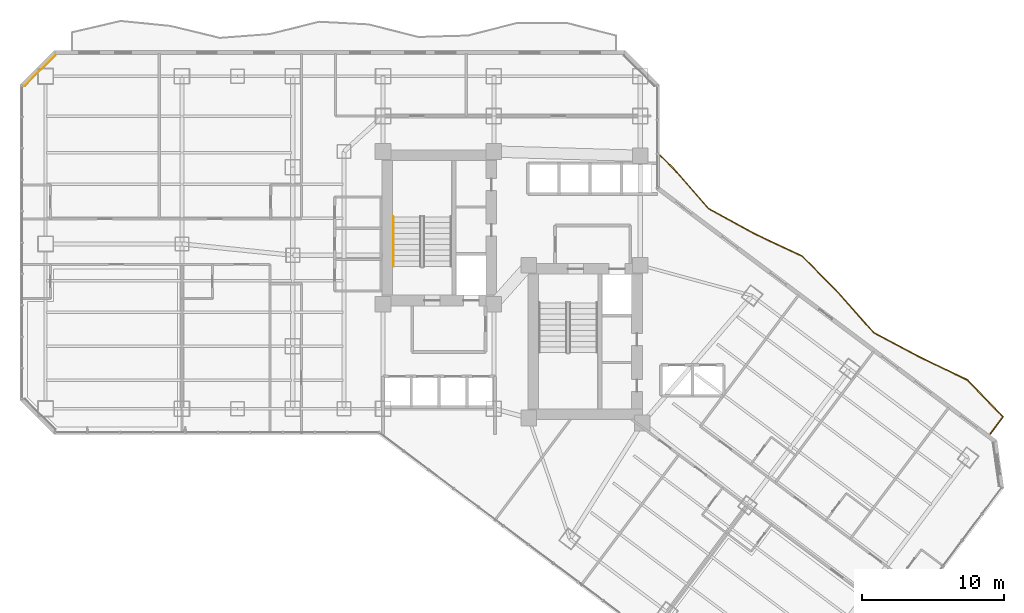
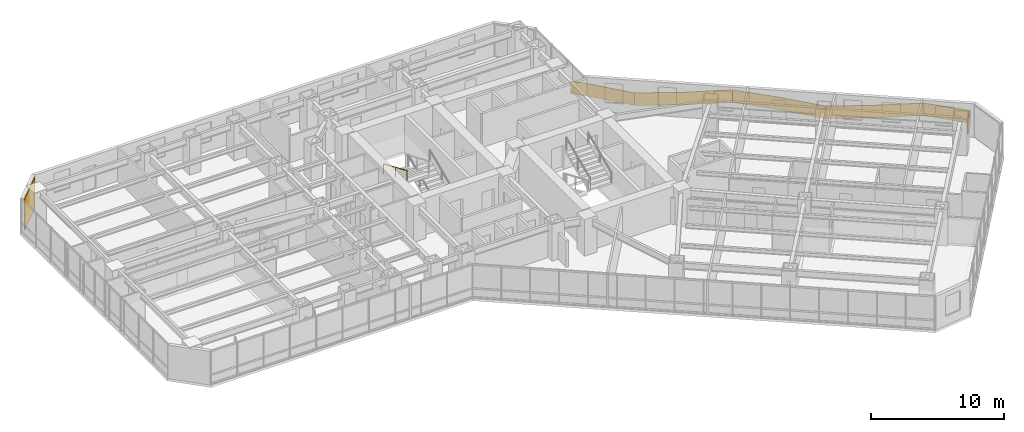
# One storey, part 37 of 39: 2 railings, 1 covering.
"""IFC4 building model written with IfcOpenShell, lengths in metres."""

import ifcopenshell
import ifcopenshell.guid

model = None  # the IFC model being written
_history = None  # IfcOwnerHistory: only IFC2X3 demands one
_inside = {}  # id of a spatial element -> (the spatial element, [elements in it])
_under = {}  # id of a project, library or spatial element -> (it, [spatial elements below it])
_declared = {}  # id of a project -> (the project, [libraries it declares])
_typed = {}  # id of a type object -> (the type object, [elements of that type])
_made_of = {}  # id of a material, layer set ... -> (it, [elements and type objects made of it])


def new_model(schema):
    """Start an empty IFC model of exactly this schema.

    Asked for "IFC4X3", IfcOpenShell would pick the latest addendum, in which some entities
    have other attributes; the version numbers below select the first issue.
    IFC2X3 requires an IfcOwnerHistory on every rooted entity: one is made here for all.
    """
    global model, _history
    if schema == "IFC4X3":
        model = ifcopenshell.file(schema_version=(4, 3, 0, 0))
    else:
        model = ifcopenshell.file(schema=schema)
    _inside.clear()
    _under.clear()
    _declared.clear()
    _typed.clear()
    _made_of.clear()
    _history = None
    if model.schema == "IFC2X3":
        org = make("IfcOrganization", Name="unknown")
        user = make(
            "IfcPersonAndOrganization",
            ThePerson=make("IfcPerson", FamilyName="unknown"),
            TheOrganization=org,
        )
        app = make(
            "IfcApplication",
            ApplicationDeveloper=org,
            Version="unknown",
            ApplicationFullName="unknown",
            ApplicationIdentifier="unknown",
        )
        _history = make(
            "IfcOwnerHistory",
            OwningUser=user,
            OwningApplication=app,
            ChangeAction="ADDED",
            CreationDate=0,
        )
    return model


def make(cls, **values):
    """One entity of the class cls with the attributes given. An attribute that is None is left unset."""
    return model.create_entity(
        cls, **{name: value for name, value in values.items() if value is not None}
    )


def rooted(cls, **values):
    """An entity with a GlobalId (a new one), such as an element, a storey or a relation."""
    return make(cls, GlobalId=ifcopenshell.guid.new(), OwnerHistory=_history, **values)


def si_unit(unit_type, name, prefix=None):
    """IfcSIUnit, for example si_unit("LENGTHUNIT", "METRE", prefix="MILLI")."""
    return make("IfcSIUnit", UnitType=unit_type, Prefix=prefix, Name=name)


def assignment(units):
    """IfcUnitAssignment: the units of a project."""
    return None if units is None else make("IfcUnitAssignment", Units=units)


def point(xyz):
    """IfcCartesianPoint."""
    return None if xyz is None else make("IfcCartesianPoint", Coordinates=xyz)


def direction(xyz):
    """IfcDirection."""
    return None if xyz is None else make("IfcDirection", DirectionRatios=xyz)


def frame(location, z_axis=None, x_axis=None):
    """IfcAxis2Placement3D, a coordinate frame: its origin and axes. An axis left out is left unset."""
    return make(
        "IfcAxis2Placement3D",
        Location=point(location),
        Axis=direction(z_axis),
        RefDirection=direction(x_axis),
    )


def frame_2d(location, x_axis=None):
    """IfcAxis2Placement2D, a coordinate frame in the plane: its origin and x axis."""
    return make(
        "IfcAxis2Placement2D", Location=point(location), RefDirection=direction(x_axis)
    )


def origin():
    """The frame at (0, 0, 0) with its axes left unset."""
    return frame((0.0, 0.0, 0.0))


def origin_2d():
    """The frame at (0, 0) in the plane with its x axis left unset."""
    return frame_2d((0.0, 0.0))


def place(relative_to, where):
    """IfcLocalPlacement: puts the frame where relative to a parent placement (None: the world)."""
    return make(
        "IfcLocalPlacement", PlacementRelTo=relative_to, RelativePlacement=where
    )


def context(
    kind, dimensions, precision=None, world=None, true_north=None, identifier=None
):
    """IfcGeometricRepresentationContext, for example the 3D "Model" context."""
    return make(
        "IfcGeometricRepresentationContext",
        ContextIdentifier=identifier,
        ContextType=kind,
        CoordinateSpaceDimension=dimensions,
        Precision=precision,
        WorldCoordinateSystem=world,
        TrueNorth=true_north,
    )


def subcontext(parent, identifier, kind, view, scale=None):
    """IfcGeometricRepresentationSubContext, for example "Body" below "Model"."""
    return make(
        "IfcGeometricRepresentationSubContext",
        ContextIdentifier=identifier,
        ContextType=kind,
        ParentContext=parent,
        TargetScale=scale,
        TargetView=view,
    )


def project(units=None, contexts=None):
    """IfcProject with its units and contexts."""
    return rooted(
        "IfcProject",
        Name="project",
        RepresentationContexts=contexts,
        UnitsInContext=assignment(units),
    )


def spatial(cls, under=None, at=None, **own):
    """A site, building, storey or space (cls), placed at a placement, below another one or the project."""
    s = rooted(cls, ObjectPlacement=at, **own)
    if under is not None:
        _under.setdefault(under.id(), (under, []))[1].append(s)
    return s


def polyline(points):
    """IfcPolyline through the points."""
    return make("IfcPolyline", Points=[point(p) for p in points])


def profile(cls, at=None, kind="AREA", **sizes):
    """A parametric profile (cls). Its sizes go by their IFC names, for example OverallWidth=200.0."""
    return make(cls, ProfileType=kind, Position=at, **sizes)


def rectangle(**sizes):
    """IfcRectangleProfileDef."""
    return profile("IfcRectangleProfileDef", **sizes)


def circle(**sizes):
    """IfcCircleProfileDef."""
    return profile("IfcCircleProfileDef", **sizes)


def outline(outer, holes=None, kind="AREA"):
    """IfcArbitraryClosedProfileDef: a profile drawn as a closed curve; with holes, ...WithVoids."""
    if holes is None:
        return make("IfcArbitraryClosedProfileDef", ProfileType=kind, OuterCurve=outer)
    return make(
        "IfcArbitraryProfileDefWithVoids",
        ProfileType=kind,
        OuterCurve=outer,
        InnerCurves=holes,
    )


def extrude(swept, where, along, depth):
    """IfcExtrudedAreaSolid: the profile swept, set in the frame where, extruded along a direction by depth."""
    return make(
        "IfcExtrudedAreaSolid",
        SweptArea=swept,
        Position=where,
        ExtrudedDirection=direction(along),
        Depth=depth,
    )


def shape(context_of_items, identifier, shape_type, items):
    """IfcShapeRepresentation: the items that make up one representation, for example the "Body"."""
    return make(
        "IfcShapeRepresentation",
        ContextOfItems=context_of_items,
        RepresentationIdentifier=identifier,
        RepresentationType=shape_type,
        Items=items,
    )


def material(Name=None, Category=None):
    """IfcMaterial."""
    return make("IfcMaterial", Name=Name, Category=Category)


def layer(
    of_material, thickness, ventilated=None, Name=None, Category=None, Priority=None
):
    """IfcMaterialLayer: one layer of a wall or slab, of a material (None: an air gap)."""
    return make(
        "IfcMaterialLayer",
        Material=of_material,
        LayerThickness=thickness,
        IsVentilated=ventilated,
        Name=Name,
        Category=Category,
        Priority=Priority,
    )


def layer_set(layers, Name=None):
    """IfcMaterialLayerSet."""
    return make("IfcMaterialLayerSet", MaterialLayers=layers, LayerSetName=Name)


def made_of(thing, what):
    """Note that an element or type object is made of a material, layer set ...; save() writes the relation."""
    if what is not None:
        _made_of.setdefault(what.id(), (what, []))[1].append(thing)
    return thing


def type_object(cls, material=None, **own):
    """A type object (cls), such as IfcWallType, which elements share."""
    return made_of(rooted(cls, **own), material)


def element(
    cls,
    number,
    at=None,
    inside=None,
    cuts=None,
    type_object=None,
    material=None,
    context=None,
    identifier="Body",
    shape_type=None,
    held_by="IfcProductDefinitionShape",
    body=None,
    shapes=None,
    **own,
):
    """One element of the class cls, such as IfcWall. Its Tag is "e" and its number.

    at: its placement. inside: the storey or other place that contains it. cuts: it is an
    opening in that element (IfcRelVoidsElement). A single representation is given by context,
    identifier, shape_type and body (its items); several are given by shapes. held_by: the class
    of the entity that holds the representations. save() writes the other relations.
    """
    e = rooted(cls, Tag="e%d" % number, ObjectPlacement=at, **own)
    if body is not None:
        shapes = [shape(context, identifier, shape_type, body)]
    if shapes is not None:
        e.Representation = make(held_by, Representations=shapes)
    if inside is not None:
        _inside.setdefault(inside.id(), (inside, []))[1].append(e)
    if cuts is not None:
        rooted(
            "IfcRelVoidsElement", RelatingBuildingElement=cuts, RelatedOpeningElement=e
        )
    if type_object is not None:
        _typed.setdefault(type_object.id(), (type_object, []))[1].append(e)
    return made_of(e, material)


def aggregate(whole, parts):
    """IfcRelAggregates: a whole, such as a stair, and the parts it consists of."""
    return rooted("IfcRelAggregates", RelatingObject=whole, RelatedObjects=parts)


def save(model, path):
    """Write the relations noted so far, then the file.

    IfcRelAggregates (storeys below a building ...), IfcRelContainedInSpatialStructure (elements
    in a storey), IfcRelDefinesByType, IfcRelAssociatesMaterial and IfcRelDeclares: one each for
    every whole, place, type object, material and project.
    """
    for whole, parts in _under.values():
        aggregate(whole, parts)
    for where, things in _inside.values():
        rooted(
            "IfcRelContainedInSpatialStructure",
            RelatedElements=things,
            RelatingStructure=where,
        )
    for kind, things in _typed.values():
        rooted("IfcRelDefinesByType", RelatedObjects=things, RelatingType=kind)
    for what, things in _made_of.values():
        rooted("IfcRelAssociatesMaterial", RelatedObjects=things, RelatingMaterial=what)
    for by, libraries in _declared.values():
        rooted("IfcRelDeclares", RelatingContext=by, RelatedDefinitions=libraries)
    model.write(path)


model = new_model("IFC4")

# Units and contexts
model_context = context("Model", 3, precision=1e-05, world=origin(), true_north=direction((0.0, 1.0)))
body_context = subcontext(model_context, "Body", "Model", "MODEL_VIEW")
ifc_project = project(units=[si_unit("LENGTHUNIT", "METRE"), si_unit("AREAUNIT", "SQUARE_METRE"), si_unit("VOLUMEUNIT", "CUBIC_METRE"), si_unit("PLANEANGLEUNIT", "RADIAN"), si_unit("MASSUNIT", "GRAM", prefix="KILO")], contexts=[model_context])

# Site, building, storey
site_placement = place(None, origin())
site = spatial("IfcSite", under=ifc_project, at=site_placement, CompositionType="ELEMENT")
building_placement = place(site_placement, origin())
building = spatial("IfcBuilding", under=site, at=building_placement, Name="Hatsunagi Terrace Concourse", CompositionType="ELEMENT")
storey_placement = place(building_placement, frame((0.0, 0.0, 66.75)))
storey = spatial("IfcBuildingStorey", under=building, at=storey_placement, Name="L17", CompositionType="ELEMENT", Elevation=66.75)

# Railings
ifc_material_1 = material(Name="Laminated Glass and Stainless Steel Guard", Category="steel")
ifc_layer_1 = layer(ifc_material_1, 0.070068359375)
ifc_layer_set_1 = layer_set([ifc_layer_1], Name="BalconyGlassGuardRail_1150")
railing_type_1 = type_object("IfcRailingType", Name="BalconyGlassGuardRail_1150", PredefinedType="BALUSTRADE", material=ifc_layer_set_1)
railing_1_placement = place(storey_placement, origin())
element("IfcRailing", 1, at=railing_1_placement, inside=storey, type_object=railing_type_1, Name="Engawa Balcony Guard GRD-01 L17-BSE-1", PredefinedType="BALUSTRADE", context=body_context, shape_type="SweptSolid", body=[
    extrude(outline(polyline([(45.070556640625, 43.06494140625), (45.021484375, 43.01513671875), (45.9775390625, 42.072021484375), (48.4267578125, 39.26220703125), (51.66015625, 37.48876953125), (55.011474609375, 35.921875), (57.580322265625, 33.322021484375), (60.051025390625, 30.537109375), (63.30908203125, 28.798828125), (66.64013671875, 27.20703125), (69.135009765625, 24.623046875), (68.241943359375, 23.430908203125), (68.298095703125, 23.388916015625), (69.226806640625, 24.62890625), (66.681884765625, 27.264892578125), (63.3408203125, 28.861083984375), (60.094970703125, 30.593017578125), (57.631591796875, 33.369873046875), (55.052490234375, 35.97998046875), (51.69189453125, 37.55126953125), (48.47119140625, 39.317626953125), (46.028564453125, 42.1201171875), (45.070556640625, 43.06494140625)])), origin(), (0.0, 0.0, 1.0), 1.14990234375),
])
ifc_material_2 = material(Name="Stainless steel", Category="steel")
ifc_layer_2 = layer(ifc_material_2, 0.044921875)
ifc_layer_set_2 = layer_set([ifc_layer_2], Name="StairPitchHandrail_Tower2000")
railing_type_2 = type_object("IfcRailingType", Name="StairPitchHandrail_Tower2000", PredefinedType="HANDRAIL", material=ifc_layer_set_2)
railing_2_placement = place(storey_placement, frame((26.280029296875, 38.7099609375, 1.842529296875)))
element("IfcRailing", 2, at=railing_2_placement, inside=storey, type_object=railing_type_2, Name="L17 ST-A stair handrail 2", PredefinedType="HANDRAIL", context=body_context, shape_type="SweptSolid", body=[
    extrude(circle(Radius=0.02392578125, at=origin_2d()), frame((0.0, 0.0, 0.8759765625), z_axis=(0.0, -0.918834009242, 0.394644223904), x_axis=(1.0, 0.0, 0.0)), (0.0, 0.0, 1.0), 3.820068359375),
    extrude(circle(Radius=0.02099609375, at=origin_2d()), origin(), (0.0, 0.0, 1.0), 0.851806640625),
    extrude(circle(Radius=0.02099609375, at=origin_2d()), frame((0.0, -1.7548828125, 0.75390625)), (0.0, 0.0, 1.0), 0.851806640625),
    extrude(circle(Radius=0.02099609375, at=origin_2d()), frame((0.0, -3.510009765625, 1.507568359375)), (0.0, 0.0, 1.0), 0.851806640625),
])

# Covering
ifc_material_3 = material(Name="Unglazed Warm Terracotta Rainscreen Tile", Category="masonry")
ifc_layer_3 = layer(ifc_material_3, 0.044921875)
ifc_layer_set_3 = layer_set([ifc_layer_3], Name="TerracottaRainscreenCladding_45")
covering_type = type_object("IfcCoveringType", Name="TerracottaRainscreenCladding_45", PredefinedType="CLADDING", material=ifc_layer_set_3)
covering_placement = place(storey_placement, frame((1.4140625, 48.986083984375, 0.10009765625), z_axis=(0.0, 0.0, 1.0), x_axis=(0.707106781187, 0.707106781187, 0.0)))
element("IfcCovering", 3, at=covering_placement, inside=storey, type_object=covering_type, Name="Terracotta Rainscreen Cladding L17-10", PredefinedType="CLADDING", context=body_context, shape_type="SweptSolid", body=[
    extrude(rectangle(XDim=3.0380859375, YDim=0.044921875, at=origin_2d()), origin(), (0.0, 0.0, 1.0), 2.889892578125),
])

save(model, "model.ifc")
